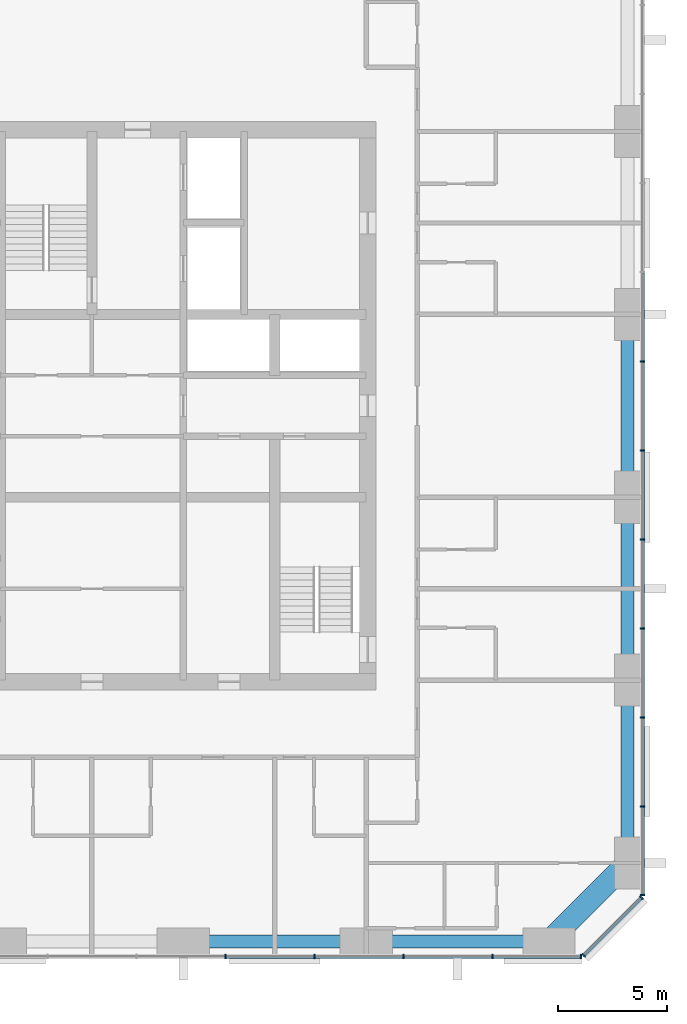
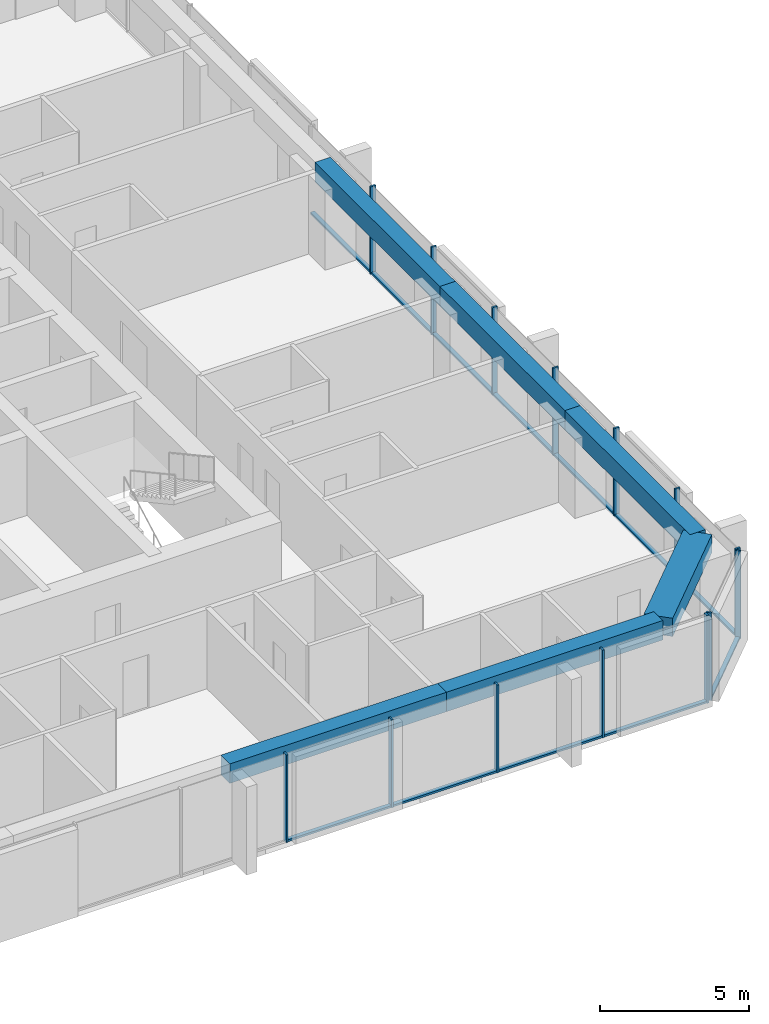
# One storey, part 4 of 13: 26 members, 6 beams, 3 elements without a shape of their own.
"""IFC4 building model written with IfcOpenShell, lengths in metres."""

import ifcopenshell
import ifcopenshell.guid

model = None  # the IFC model being written
_history = None  # IfcOwnerHistory: only IFC2X3 demands one
_inside = {}  # id of a spatial element -> (the spatial element, [elements in it])
_under = {}  # id of a project, library or spatial element -> (it, [spatial elements below it])
_declared = {}  # id of a project -> (the project, [libraries it declares])
_typed = {}  # id of a type object -> (the type object, [elements of that type])
_made_of = {}  # id of a material, layer set ... -> (it, [elements and type objects made of it])


def new_model(schema):
    """Start an empty IFC model of exactly this schema.

    Asked for "IFC4X3", IfcOpenShell would pick the latest addendum, in which some entities
    have other attributes; the version numbers below select the first issue.
    IFC2X3 requires an IfcOwnerHistory on every rooted entity: one is made here for all.
    """
    global model, _history
    if schema == "IFC4X3":
        model = ifcopenshell.file(schema_version=(4, 3, 0, 0))
    else:
        model = ifcopenshell.file(schema=schema)
    _inside.clear()
    _under.clear()
    _declared.clear()
    _typed.clear()
    _made_of.clear()
    _history = None
    if model.schema == "IFC2X3":
        org = make("IfcOrganization", Name="unknown")
        user = make(
            "IfcPersonAndOrganization",
            ThePerson=make("IfcPerson", FamilyName="unknown"),
            TheOrganization=org,
        )
        app = make(
            "IfcApplication",
            ApplicationDeveloper=org,
            Version="unknown",
            ApplicationFullName="unknown",
            ApplicationIdentifier="unknown",
        )
        _history = make(
            "IfcOwnerHistory",
            OwningUser=user,
            OwningApplication=app,
            ChangeAction="ADDED",
            CreationDate=0,
        )
    return model


def make(cls, **values):
    """One entity of the class cls with the attributes given. An attribute that is None is left unset."""
    return model.create_entity(
        cls, **{name: value for name, value in values.items() if value is not None}
    )


def rooted(cls, **values):
    """An entity with a GlobalId (a new one), such as an element, a storey or a relation."""
    return make(cls, GlobalId=ifcopenshell.guid.new(), OwnerHistory=_history, **values)


def si_unit(unit_type, name, prefix=None):
    """IfcSIUnit, for example si_unit("LENGTHUNIT", "METRE", prefix="MILLI")."""
    return make("IfcSIUnit", UnitType=unit_type, Prefix=prefix, Name=name)


def assignment(units):
    """IfcUnitAssignment: the units of a project."""
    return None if units is None else make("IfcUnitAssignment", Units=units)


def point(xyz):
    """IfcCartesianPoint."""
    return None if xyz is None else make("IfcCartesianPoint", Coordinates=xyz)


def direction(xyz):
    """IfcDirection."""
    return None if xyz is None else make("IfcDirection", DirectionRatios=xyz)


def frame(location, z_axis=None, x_axis=None):
    """IfcAxis2Placement3D, a coordinate frame: its origin and axes. An axis left out is left unset."""
    return make(
        "IfcAxis2Placement3D",
        Location=point(location),
        Axis=direction(z_axis),
        RefDirection=direction(x_axis),
    )


def frame_2d(location, x_axis=None):
    """IfcAxis2Placement2D, a coordinate frame in the plane: its origin and x axis."""
    return make(
        "IfcAxis2Placement2D", Location=point(location), RefDirection=direction(x_axis)
    )


def origin():
    """The frame at (0, 0, 0) with its axes left unset."""
    return frame((0.0, 0.0, 0.0))


def origin_2d():
    """The frame at (0, 0) in the plane with its x axis left unset."""
    return frame_2d((0.0, 0.0))


def place(relative_to, where):
    """IfcLocalPlacement: puts the frame where relative to a parent placement (None: the world)."""
    return make(
        "IfcLocalPlacement", PlacementRelTo=relative_to, RelativePlacement=where
    )


def context(
    kind, dimensions, precision=None, world=None, true_north=None, identifier=None
):
    """IfcGeometricRepresentationContext, for example the 3D "Model" context."""
    return make(
        "IfcGeometricRepresentationContext",
        ContextIdentifier=identifier,
        ContextType=kind,
        CoordinateSpaceDimension=dimensions,
        Precision=precision,
        WorldCoordinateSystem=world,
        TrueNorth=true_north,
    )


def subcontext(parent, identifier, kind, view, scale=None):
    """IfcGeometricRepresentationSubContext, for example "Body" below "Model"."""
    return make(
        "IfcGeometricRepresentationSubContext",
        ContextIdentifier=identifier,
        ContextType=kind,
        ParentContext=parent,
        TargetScale=scale,
        TargetView=view,
    )


def project(units=None, contexts=None):
    """IfcProject with its units and contexts."""
    return rooted(
        "IfcProject",
        Name="project",
        RepresentationContexts=contexts,
        UnitsInContext=assignment(units),
    )


def spatial(cls, under=None, at=None, **own):
    """A site, building, storey or space (cls), placed at a placement, below another one or the project."""
    s = rooted(cls, ObjectPlacement=at, **own)
    if under is not None:
        _under.setdefault(under.id(), (under, []))[1].append(s)
    return s


def profile(cls, at=None, kind="AREA", **sizes):
    """A parametric profile (cls). Its sizes go by their IFC names, for example OverallWidth=200.0."""
    return make(cls, ProfileType=kind, Position=at, **sizes)


def rectangle(**sizes):
    """IfcRectangleProfileDef."""
    return profile("IfcRectangleProfileDef", **sizes)


def extrude(swept, where, along, depth):
    """IfcExtrudedAreaSolid: the profile swept, set in the frame where, extruded along a direction by depth."""
    return make(
        "IfcExtrudedAreaSolid",
        SweptArea=swept,
        Position=where,
        ExtrudedDirection=direction(along),
        Depth=depth,
    )


def shape(context_of_items, identifier, shape_type, items):
    """IfcShapeRepresentation: the items that make up one representation, for example the "Body"."""
    return make(
        "IfcShapeRepresentation",
        ContextOfItems=context_of_items,
        RepresentationIdentifier=identifier,
        RepresentationType=shape_type,
        Items=items,
    )


def material(Name=None, Category=None):
    """IfcMaterial."""
    return make("IfcMaterial", Name=Name, Category=Category)


def material_profile(
    of_material, cross_section, Name=None, Category=None, Priority=None
):
    """IfcMaterialProfile: a cross section and its material."""
    return make(
        "IfcMaterialProfile",
        Name=Name,
        Material=of_material,
        Profile=cross_section,
        Priority=Priority,
        Category=Category,
    )


def profile_set(profiles, Name=None, composite=None):
    """IfcMaterialProfileSet."""
    return make(
        "IfcMaterialProfileSet",
        Name=Name,
        MaterialProfiles=profiles,
        CompositeProfile=composite,
    )


def made_of(thing, what):
    """Note that an element or type object is made of a material, layer set ...; save() writes the relation."""
    if what is not None:
        _made_of.setdefault(what.id(), (what, []))[1].append(thing)
    return thing


def type_object(cls, material=None, **own):
    """A type object (cls), such as IfcWallType, which elements share."""
    return made_of(rooted(cls, **own), material)


def element(
    cls,
    number,
    at=None,
    inside=None,
    cuts=None,
    type_object=None,
    material=None,
    context=None,
    identifier="Body",
    shape_type=None,
    held_by="IfcProductDefinitionShape",
    body=None,
    shapes=None,
    **own,
):
    """One element of the class cls, such as IfcWall. Its Tag is "e" and its number.

    at: its placement. inside: the storey or other place that contains it. cuts: it is an
    opening in that element (IfcRelVoidsElement). A single representation is given by context,
    identifier, shape_type and body (its items); several are given by shapes. held_by: the class
    of the entity that holds the representations. save() writes the other relations.
    """
    e = rooted(cls, Tag="e%d" % number, ObjectPlacement=at, **own)
    if body is not None:
        shapes = [shape(context, identifier, shape_type, body)]
    if shapes is not None:
        e.Representation = make(held_by, Representations=shapes)
    if inside is not None:
        _inside.setdefault(inside.id(), (inside, []))[1].append(e)
    if cuts is not None:
        rooted(
            "IfcRelVoidsElement", RelatingBuildingElement=cuts, RelatedOpeningElement=e
        )
    if type_object is not None:
        _typed.setdefault(type_object.id(), (type_object, []))[1].append(e)
    return made_of(e, material)


def aggregate(whole, parts):
    """IfcRelAggregates: a whole, such as a stair, and the parts it consists of."""
    return rooted("IfcRelAggregates", RelatingObject=whole, RelatedObjects=parts)


def save(model, path):
    """Write the relations noted so far, then the file.

    IfcRelAggregates (storeys below a building ...), IfcRelContainedInSpatialStructure (elements
    in a storey), IfcRelDefinesByType, IfcRelAssociatesMaterial and IfcRelDeclares: one each for
    every whole, place, type object, material and project.
    """
    for whole, parts in _under.values():
        aggregate(whole, parts)
    for where, things in _inside.values():
        rooted(
            "IfcRelContainedInSpatialStructure",
            RelatedElements=things,
            RelatingStructure=where,
        )
    for kind, things in _typed.values():
        rooted("IfcRelDefinesByType", RelatedObjects=things, RelatingType=kind)
    for what, things in _made_of.values():
        rooted("IfcRelAssociatesMaterial", RelatedObjects=things, RelatingMaterial=what)
    for by, libraries in _declared.values():
        rooted("IfcRelDeclares", RelatingContext=by, RelatedDefinitions=libraries)
    model.write(path)


model = new_model("IFC4")

# Units and contexts
model_context = context("Model", 3, precision=1e-05, world=origin(), true_north=direction((0.0, 1.0)))
body_context = subcontext(model_context, "Body", "Model", "MODEL_VIEW")
ifc_project = project(units=[si_unit("LENGTHUNIT", "METRE"), si_unit("AREAUNIT", "SQUARE_METRE"), si_unit("VOLUMEUNIT", "CUBIC_METRE"), si_unit("PLANEANGLEUNIT", "RADIAN"), si_unit("MASSUNIT", "GRAM", prefix="KILO")], contexts=[model_context])

# Site, building, storey
site_placement = place(None, origin())
site = spatial("IfcSite", under=ifc_project, at=site_placement, CompositionType="ELEMENT")
building_placement = place(site_placement, origin())
building = spatial("IfcBuilding", under=site, at=building_placement, Name="Dunama Terrace Hotel", CompositionType="ELEMENT")
storey_placement = place(building_placement, frame((0.0, 0.0, 173.39990234375)))
storey = spatial("IfcBuildingStorey", under=building, at=storey_placement, Name="L44", CompositionType="ELEMENT", Elevation=173.39990234375)

# Curtain wall, members
ifc_material_1 = material(Name="Aluminium curtain wall system", Category="aluminium")
curtain_wall_type = type_object("IfcCurtainWallType", Name="Unitised fritted glass wall CW-C", PredefinedType="NOTDEFINED", material=ifc_material_1)
curtain_wall_1_placement = place(storey_placement, origin())
curtain_wall_1 = element("IfcCurtainWall", 1, at=curtain_wall_1_placement, inside=storey, type_object=curtain_wall_type, Name="Unitised fritted glass wall CW-C L44", PredefinedType="NOTDEFINED")
ifc_material_2 = material(Name="Aluminium mullion", Category="aluminium")
ifc_material_profile_1 = material_profile(ifc_material_2, rectangle(XDim=0.070068359375, YDim=0.199951171875, at=origin_2d()), Name="CWC MULLION 70X200")
ifc_profile_set_1 = profile_set([ifc_material_profile_1], Name="Aluminium mullion")
member_type_1 = type_object("IfcMemberType", Name="CWC mullion 70x200", PredefinedType="MULLION", material=ifc_profile_set_1)
member_1_placement = place(storey_placement, frame((35.535888671875, 4.10009765625, 0.0), z_axis=(0.0, 0.0, 1.0), x_axis=(1.0, 0.0, 0.0)))
member_1 = element("IfcMember", 2, at=member_1_placement, type_object=member_type_1, Name="CWC mullion", PredefinedType="MULLION", context=body_context, shape_type="SweptSolid", body=[
    extrude(rectangle(XDim=0.070068359375, YDim=0.199951171875, at=origin_2d()), origin(), (0.0, 0.0, 1.0), 3.60009765625),
])
member_2_placement = place(storey_placement, frame((39.626953125, 4.10009765625, 0.0), z_axis=(0.0, 0.0, 1.0), x_axis=(1.0, 0.0, 0.0)))
member_2 = element("IfcMember", 3, at=member_2_placement, type_object=member_type_1, Name="CWC mullion", PredefinedType="MULLION", context=body_context, shape_type="SweptSolid", body=[
    extrude(rectangle(XDim=0.070068359375, YDim=0.199951171875, at=origin_2d()), origin(), (0.0, 0.0, 1.0), 3.60009765625),
])
member_3_placement = place(storey_placement, frame((43.718017578125, 4.10009765625, 0.0), z_axis=(0.0, 0.0, 1.0), x_axis=(1.0, 0.0, 0.0)))
member_3 = element("IfcMember", 4, at=member_3_placement, type_object=member_type_1, Name="CWC mullion", PredefinedType="MULLION", context=body_context, shape_type="SweptSolid", body=[
    extrude(rectangle(XDim=0.070068359375, YDim=0.199951171875, at=origin_2d()), origin(), (0.0, 0.0, 1.0), 3.60009765625),
])
member_4_placement = place(storey_placement, frame((47.80908203125, 4.10009765625, 0.0), z_axis=(0.0, 0.0, 1.0), x_axis=(1.0, 0.0, 0.0)))
member_4 = element("IfcMember", 5, at=member_4_placement, type_object=member_type_1, Name="CWC mullion", PredefinedType="MULLION", context=body_context, shape_type="SweptSolid", body=[
    extrude(rectangle(XDim=0.070068359375, YDim=0.199951171875, at=origin_2d()), origin(), (0.0, 0.0, 1.0), 3.60009765625),
])
member_5_placement = place(storey_placement, frame((51.864990234375, 4.10009765625, 0.0), z_axis=(0.0, 0.0, 1.0), x_axis=(1.0, 0.0, 0.0)))
member_5 = element("IfcMember", 6, at=member_5_placement, type_object=member_type_1, Name="CWC mullion", PredefinedType="MULLION", context=body_context, shape_type="SweptSolid", body=[
    extrude(rectangle(XDim=0.070068359375, YDim=0.199951171875, at=origin_2d()), origin(), (0.0, 0.0, 1.0), 3.60009765625),
])

curtain_wall_2_placement = place(storey_placement, origin())
curtain_wall_2 = element("IfcCurtainWall", 7, at=curtain_wall_2_placement, inside=storey, type_object=curtain_wall_type, Name="Unitised fritted glass wall CW-C L44", PredefinedType="NOTDEFINED")
member_6_placement = place(storey_placement, frame((51.9951171875, 4.154052734375, 0.0), z_axis=(0.0, 0.0, 1.0), x_axis=(0.707106781187, 0.707106781187, 0.0)))
member_6 = element("IfcMember", 8, at=member_6_placement, type_object=member_type_1, Name="CWC mullion", PredefinedType="MULLION", context=body_context, shape_type="SweptSolid", body=[
    extrude(rectangle(XDim=0.070068359375, YDim=0.199951171875, at=origin_2d()), origin(), (0.0, 0.0, 1.0), 3.60009765625),
])
member_7_placement = place(storey_placement, frame((54.64599609375, 6.804931640625, 0.0), z_axis=(0.0, 0.0, 1.0), x_axis=(0.707106781187, 0.707106781187, 0.0)))
member_7 = element("IfcMember", 9, at=member_7_placement, type_object=member_type_1, Name="CWC mullion", PredefinedType="MULLION", context=body_context, shape_type="SweptSolid", body=[
    extrude(rectangle(XDim=0.070068359375, YDim=0.199951171875, at=origin_2d()), origin(), (0.0, 0.0, 1.0), 3.60009765625),
])

curtain_wall_3_placement = place(storey_placement, origin())
curtain_wall_3 = element("IfcCurtainWall", 10, at=curtain_wall_3_placement, inside=storey, type_object=curtain_wall_type, Name="Unitised fritted glass wall CW-C L44", PredefinedType="NOTDEFINED")
member_8_placement = place(storey_placement, frame((54.699951171875, 6.93505859375, 0.0), z_axis=(0.0, 0.0, 1.0), x_axis=(0.0, 1.0, 0.0)))
member_8 = element("IfcMember", 11, at=member_8_placement, type_object=member_type_1, Name="CWC mullion", PredefinedType="MULLION", context=body_context, shape_type="SweptSolid", body=[
    extrude(rectangle(XDim=0.070068359375, YDim=0.199951171875, at=origin_2d()), origin(), (0.0, 0.0, 1.0), 3.60009765625),
])
member_9_placement = place(storey_placement, frame((54.699951171875, 10.990966796875, 0.0), z_axis=(0.0, 0.0, 1.0), x_axis=(0.0, 1.0, 0.0)))
member_9 = element("IfcMember", 12, at=member_9_placement, type_object=member_type_1, Name="CWC mullion", PredefinedType="MULLION", context=body_context, shape_type="SweptSolid", body=[
    extrude(rectangle(XDim=0.070068359375, YDim=0.199951171875, at=origin_2d()), origin(), (0.0, 0.0, 1.0), 3.60009765625),
])
member_10_placement = place(storey_placement, frame((54.699951171875, 15.08203125, 0.0), z_axis=(0.0, 0.0, 1.0), x_axis=(0.0, 1.0, 0.0)))
member_10 = element("IfcMember", 13, at=member_10_placement, type_object=member_type_1, Name="CWC mullion", PredefinedType="MULLION", context=body_context, shape_type="SweptSolid", body=[
    extrude(rectangle(XDim=0.070068359375, YDim=0.199951171875, at=origin_2d()), origin(), (0.0, 0.0, 1.0), 3.60009765625),
])
member_11_placement = place(storey_placement, frame((54.699951171875, 19.173095703125, 0.0), z_axis=(0.0, 0.0, 1.0), x_axis=(0.0, 1.0, 0.0)))
member_11 = element("IfcMember", 14, at=member_11_placement, type_object=member_type_1, Name="CWC mullion", PredefinedType="MULLION", context=body_context, shape_type="SweptSolid", body=[
    extrude(rectangle(XDim=0.070068359375, YDim=0.199951171875, at=origin_2d()), origin(), (0.0, 0.0, 1.0), 3.60009765625),
])
member_12_placement = place(storey_placement, frame((54.699951171875, 23.263916015625, 0.0), z_axis=(0.0, 0.0, 1.0), x_axis=(0.0, 1.0, 0.0)))
member_12 = element("IfcMember", 15, at=member_12_placement, type_object=member_type_1, Name="CWC mullion", PredefinedType="MULLION", context=body_context, shape_type="SweptSolid", body=[
    extrude(rectangle(XDim=0.070068359375, YDim=0.199951171875, at=origin_2d()), origin(), (0.0, 0.0, 1.0), 3.60009765625),
])
member_13_placement = place(storey_placement, frame((54.699951171875, 27.35498046875, 0.0), z_axis=(0.0, 0.0, 1.0), x_axis=(0.0, 1.0, 0.0)))
member_13 = element("IfcMember", 16, at=member_13_placement, type_object=member_type_1, Name="CWC mullion", PredefinedType="MULLION", context=body_context, shape_type="SweptSolid", body=[
    extrude(rectangle(XDim=0.070068359375, YDim=0.199951171875, at=origin_2d()), origin(), (0.0, 0.0, 1.0), 3.60009765625),
])
member_14_placement = place(storey_placement, frame((54.699951171875, 31.445068359375, 0.0), z_axis=(0.0, 0.0, 1.0), x_axis=(0.0, 1.0, 0.0)))
member_14 = element("IfcMember", 17, at=member_14_placement, type_object=member_type_1, Name="CWC mullion", PredefinedType="MULLION", context=body_context, shape_type="SweptSolid", body=[
    extrude(rectangle(XDim=0.070068359375, YDim=0.199951171875, at=origin_2d()), origin(), (0.0, 0.0, 1.0), 3.60009765625),
])

# Member
ifc_material_3 = material(Name="Aluminium transom", Category="aluminium")
ifc_material_profile_2 = material_profile(ifc_material_3, rectangle(XDim=0.159912109375, YDim=0.080078125, at=origin_2d()), Name="CWC TRANSOM 160X80")
ifc_profile_set_2 = profile_set([ifc_material_profile_2], Name="Aluminium transom")
member_type_2 = type_object("IfcMemberType", Name="CWC transom 160x80", PredefinedType="USERDEFINED", material=ifc_profile_set_2)
member_15_placement = place(storey_placement, frame((35.571044921875, 4.10009765625, 0.0400390625), z_axis=(1.0, 0.0, 0.0), x_axis=(0.0, 1.0, 0.0)))
member_15 = element("IfcMember", 18, at=member_15_placement, type_object=member_type_2, Name="CWC transom", ObjectType="TRANSOM", PredefinedType="USERDEFINED", context=body_context, shape_type="SweptSolid", body=[
    extrude(rectangle(XDim=0.159912109375, YDim=0.080078125, at=origin_2d()), origin(), (0.0, 0.0, 1.0), 4.02099609375),
])

member_16_placement = place(storey_placement, frame((39.662109375, 4.10009765625, 0.0400390625), z_axis=(1.0, 0.0, 0.0), x_axis=(0.0, 1.0, 0.0)))
member_16 = element("IfcMember", 19, at=member_16_placement, type_object=member_type_2, Name="CWC transom", ObjectType="TRANSOM", PredefinedType="USERDEFINED", context=body_context, shape_type="SweptSolid", body=[
    extrude(rectangle(XDim=0.159912109375, YDim=0.080078125, at=origin_2d()), origin(), (0.0, 0.0, 1.0), 4.02099609375),
])

member_17_placement = place(storey_placement, frame((43.7529296875, 4.10009765625, 0.0400390625), z_axis=(1.0, 0.0, 0.0), x_axis=(0.0, 1.0, 0.0)))
member_17 = element("IfcMember", 20, at=member_17_placement, type_object=member_type_2, Name="CWC transom", ObjectType="TRANSOM", PredefinedType="USERDEFINED", context=body_context, shape_type="SweptSolid", body=[
    extrude(rectangle(XDim=0.159912109375, YDim=0.080078125, at=origin_2d()), origin(), (0.0, 0.0, 1.0), 4.02099609375),
])

member_18_placement = place(storey_placement, frame((47.843994140625, 4.10009765625, 0.0400390625), z_axis=(1.0, 0.0, 0.0), x_axis=(0.0, 1.0, 0.0)))
member_18 = element("IfcMember", 21, at=member_18_placement, type_object=member_type_2, Name="CWC transom", ObjectType="TRANSOM", PredefinedType="USERDEFINED", context=body_context, shape_type="SweptSolid", body=[
    extrude(rectangle(XDim=0.159912109375, YDim=0.080078125, at=origin_2d()), origin(), (0.0, 0.0, 1.0), 3.986083984375),
])

aggregate(curtain_wall_1, [member_1, member_2, member_3, member_4, member_5, member_15, member_16, member_17, member_18])

member_19_placement = place(storey_placement, frame((52.02001953125, 4.178955078125, 0.0400390625), z_axis=(0.707106781187, 0.707106781187, 0.0), x_axis=(-0.707106781187, 0.707106781187, 0.0)))
member_19 = element("IfcMember", 22, at=member_19_placement, type_object=member_type_2, Name="CWC transom", ObjectType="TRANSOM", PredefinedType="USERDEFINED", context=body_context, shape_type="SweptSolid", body=[
    extrude(rectangle(XDim=0.159912109375, YDim=0.080078125, at=origin_2d()), origin(), (0.0, 0.0, 1.0), 3.678466796875),
])

aggregate(curtain_wall_2, [member_6, member_7, member_19])

member_20_placement = place(storey_placement, frame((54.699951171875, 6.969970703125, 0.0400390625), z_axis=(0.0, 1.0, 0.0), x_axis=(-1.0, 0.0, 0.0)))
member_20 = element("IfcMember", 23, at=member_20_placement, type_object=member_type_2, Name="CWC transom", ObjectType="TRANSOM", PredefinedType="USERDEFINED", context=body_context, shape_type="SweptSolid", body=[
    extrude(rectangle(XDim=0.159912109375, YDim=0.080078125, at=origin_2d()), origin(), (0.0, 0.0, 1.0), 3.986083984375),
])

member_21_placement = place(storey_placement, frame((54.699951171875, 11.02587890625, 0.0400390625), z_axis=(0.0, 1.0, 0.0), x_axis=(-1.0, 0.0, 0.0)))
member_21 = element("IfcMember", 24, at=member_21_placement, type_object=member_type_2, Name="CWC transom", ObjectType="TRANSOM", PredefinedType="USERDEFINED", context=body_context, shape_type="SweptSolid", body=[
    extrude(rectangle(XDim=0.159912109375, YDim=0.080078125, at=origin_2d()), origin(), (0.0, 0.0, 1.0), 4.021240234375),
])

member_22_placement = place(storey_placement, frame((54.699951171875, 15.116943359375, 0.0400390625), z_axis=(0.0, 1.0, 0.0), x_axis=(-1.0, 0.0, 0.0)))
member_22 = element("IfcMember", 25, at=member_22_placement, type_object=member_type_2, Name="CWC transom", ObjectType="TRANSOM", PredefinedType="USERDEFINED", context=body_context, shape_type="SweptSolid", body=[
    extrude(rectangle(XDim=0.159912109375, YDim=0.080078125, at=origin_2d()), origin(), (0.0, 0.0, 1.0), 4.02099609375),
])

member_23_placement = place(storey_placement, frame((54.699951171875, 19.2080078125, 0.0400390625), z_axis=(0.0, 1.0, 0.0), x_axis=(-1.0, 0.0, 0.0)))
member_23 = element("IfcMember", 26, at=member_23_placement, type_object=member_type_2, Name="CWC transom", ObjectType="TRANSOM", PredefinedType="USERDEFINED", context=body_context, shape_type="SweptSolid", body=[
    extrude(rectangle(XDim=0.159912109375, YDim=0.080078125, at=origin_2d()), origin(), (0.0, 0.0, 1.0), 4.02099609375),
])

member_24_placement = place(storey_placement, frame((54.699951171875, 23.299072265625, 0.0400390625), z_axis=(0.0, 1.0, 0.0), x_axis=(-1.0, 0.0, 0.0)))
member_24 = element("IfcMember", 27, at=member_24_placement, type_object=member_type_2, Name="CWC transom", ObjectType="TRANSOM", PredefinedType="USERDEFINED", context=body_context, shape_type="SweptSolid", body=[
    extrude(rectangle(XDim=0.159912109375, YDim=0.080078125, at=origin_2d()), origin(), (0.0, 0.0, 1.0), 4.02099609375),
])

member_25_placement = place(storey_placement, frame((54.699951171875, 27.389892578125, 0.0400390625), z_axis=(0.0, 1.0, 0.0), x_axis=(-1.0, 0.0, 0.0)))
member_25 = element("IfcMember", 28, at=member_25_placement, type_object=member_type_2, Name="CWC transom", ObjectType="TRANSOM", PredefinedType="USERDEFINED", context=body_context, shape_type="SweptSolid", body=[
    extrude(rectangle(XDim=0.159912109375, YDim=0.080078125, at=origin_2d()), origin(), (0.0, 0.0, 1.0), 4.02001953125),
])

member_26_placement = place(storey_placement, frame((54.699951171875, 31.47998046875, 0.0400390625), z_axis=(0.0, 1.0, 0.0), x_axis=(-1.0, 0.0, 0.0)))
member_26 = element("IfcMember", 29, at=member_26_placement, type_object=member_type_2, Name="CWC transom", ObjectType="TRANSOM", PredefinedType="USERDEFINED", context=body_context, shape_type="SweptSolid", body=[
    extrude(rectangle(XDim=0.159912109375, YDim=0.080078125, at=origin_2d()), origin(), (0.0, 0.0, 1.0), 4.02099609375),
])

aggregate(curtain_wall_3, [member_8, member_9, member_10, member_11, member_12, member_13, member_14, member_20, member_21, member_22, member_23, member_24, member_25, member_26])

# Beams
ifc_material_4 = material(Name="Concrete C50/60", Category="concrete")
ifc_material_profile_3 = material_profile(ifc_material_4, rectangle(XDim=1.0, YDim=0.75, at=origin_2d()), Name="RC 1000x750")
ifc_profile_set_3 = profile_set([ifc_material_profile_3], Name="Concrete C50/60")
beam_type_1 = type_object("IfcBeamType", Name="Edge beam RC 1000x750", PredefinedType="SPANDREL", material=ifc_profile_set_3)
beam_1_placement = place(storey_placement, frame((50.39990234375, 4.800048828125, 3.22509765625), z_axis=(0.707130757816, 0.707082803744, 0.0), x_axis=(-0.707082803744, 0.707130757816, 0.0)))
element("IfcBeam", 30, at=beam_1_placement, inside=storey, type_object=beam_type_1, Name="Corner edge beam under L45", PredefinedType="SPANDREL", context=body_context, shape_type="SweptSolid", body=[
    extrude(rectangle(XDim=1.0, YDim=0.75, at=origin_2d()), origin(), (0.0, 0.0, 1.0), 5.091064453125),
])
ifc_material_5 = material(Name="Concrete C40/50", Category="concrete")
ifc_material_profile_4 = material_profile(ifc_material_5, rectangle(XDim=0.60009765625, YDim=0.800048828125, at=origin_2d()), Name="RC 600x800")
ifc_profile_set_4 = profile_set([ifc_material_profile_4], Name="Concrete C40/50")
beam_type_2 = type_object("IfcBeamType", Name="Edge beam RC 600x800", PredefinedType="SPANDREL", material=ifc_profile_set_4)
beam_2_placement = place(storey_placement, frame((54.0, 8.39990234375, 3.2001953125), z_axis=(0.0, 1.0, 0.0), x_axis=(-1.0, 0.0, 0.0)))
element("IfcBeam", 31, at=beam_2_placement, inside=storey, type_object=beam_type_2, Name="Edge beam under L45", PredefinedType="SPANDREL", context=body_context, shape_type="SweptSolid", body=[
    extrude(rectangle(XDim=0.60009765625, YDim=0.800048828125, at=origin_2d()), origin(), (0.0, 0.0, 1.0), 8.400146484375),
])
beam_3_placement = place(storey_placement, frame((54.0, 16.800048828125, 3.2001953125), z_axis=(0.0, 1.0, 0.0), x_axis=(-1.0, 0.0, 0.0)))
element("IfcBeam", 32, at=beam_3_placement, inside=storey, type_object=beam_type_2, Name="Edge beam under L45", PredefinedType="SPANDREL", context=body_context, shape_type="SweptSolid", body=[
    extrude(rectangle(XDim=0.60009765625, YDim=0.800048828125, at=origin_2d()), origin(), (0.0, 0.0, 1.0), 8.39990234375),
])
beam_4_placement = place(storey_placement, frame((54.0, 25.199951171875, 3.2001953125), z_axis=(0.0, 1.0, 0.0), x_axis=(-1.0, 0.0, 0.0)))
element("IfcBeam", 33, at=beam_4_placement, inside=storey, type_object=beam_type_2, Name="Edge beam under L45", PredefinedType="SPANDREL", context=body_context, shape_type="SweptSolid", body=[
    extrude(rectangle(XDim=0.60009765625, YDim=0.800048828125, at=origin_2d()), origin(), (0.0, 0.0, 1.0), 8.400146484375),
])
for number, where, z_axis, x_axis, name in (
    (34, (33.60009765625, 4.800048828125, 3.2001953125), (1.0, 0.0, 0.0), (0.0, 1.0, 0.0), "Edge beam under L45"),
    (35, (42.0, 4.800048828125, 3.2001953125), (1.0, 0.0, 0.0), (0.0, 1.0, 0.0), "Edge beam under L45"),
):
    element("IfcBeam", number, at=place(storey_placement, frame(where, z_axis=z_axis, x_axis=x_axis)), inside=storey, type_object=beam_type_2, Name=name, PredefinedType="SPANDREL", context=body_context, shape_type="SweptSolid", body=[
        extrude(rectangle(XDim=0.60009765625, YDim=0.800048828125, at=origin_2d()), origin(), (0.0, 0.0, 1.0), 8.39990234375),
    ])

save(model, "model.ifc")
